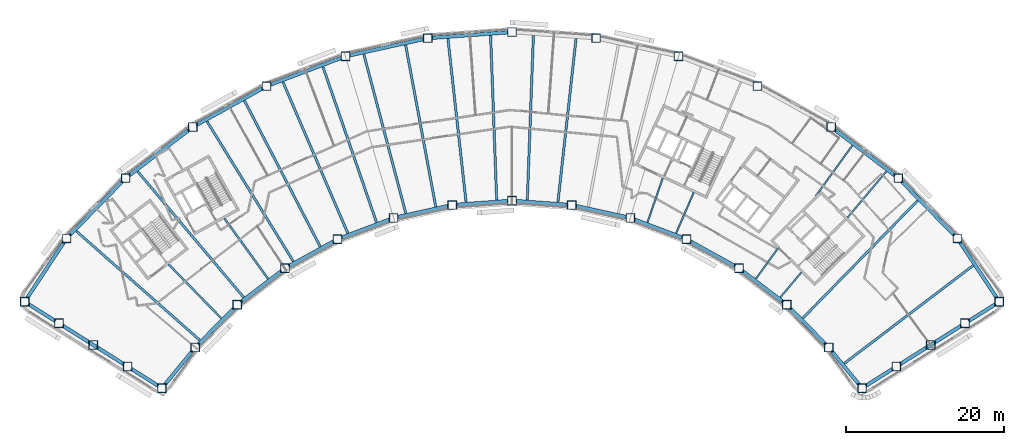
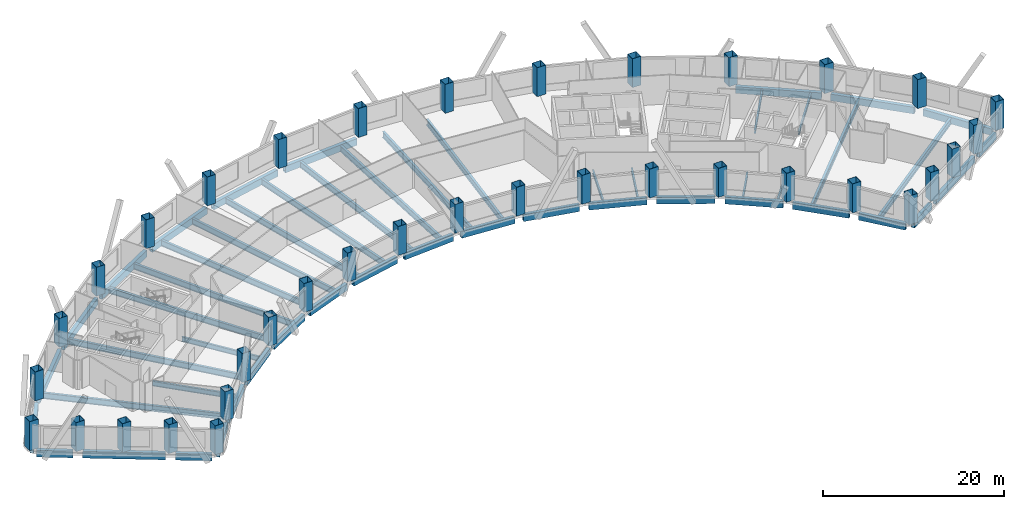
# One storey, part 1 of 11: 52 beams, 36 columns.
"""IFC4 building model written with IfcOpenShell, lengths in metres."""

from ifc_helpers import new_model, si_unit, direction, frame, origin, origin_2d, place, context, subcontext, project, spatial, hollow_rectangle, i_section, extrude, material, material_profile, profile_set, type_object, element, save


model = new_model("IFC4")

# Units and contexts
model_context = context("Model", 3, precision=1e-05, world=origin(), true_north=direction((0.0, 1.0)))
body_context = subcontext(model_context, "Body", "Model", "MODEL_VIEW")
ifc_project = project(units=[si_unit("LENGTHUNIT", "METRE"), si_unit("AREAUNIT", "SQUARE_METRE"), si_unit("VOLUMEUNIT", "CUBIC_METRE"), si_unit("PLANEANGLEUNIT", "RADIAN"), si_unit("MASSUNIT", "GRAM", prefix="KILO")], contexts=[model_context])

# Site, building, storey
site_placement = place(None, origin())
site = spatial("IfcSite", under=ifc_project, at=site_placement, CompositionType="ELEMENT")
building_placement = place(site_placement, origin())
building = spatial("IfcBuilding", under=site, at=building_placement, Name="Tuul Gate Civic Tower", CompositionType="ELEMENT")
storey_placement = place(building_placement, frame((0.0, 0.0, 116.10009765625)))
storey = spatial("IfcBuildingStorey", under=building, at=storey_placement, Name="Level 26", CompositionType="ELEMENT", Elevation=116.10009765625)

# Columns
ifc_material_1 = material(Name="Steel S355", Category="steel")
ifc_material_profile_1 = material_profile(ifc_material_1, hollow_rectangle(XDim=1.10009765625, YDim=1.10009765625, WallThickness=0.035888671875, at=origin_2d()), Name="BOX1100x1100x36")
ifc_profile_set_1 = profile_set([ifc_material_profile_1], Name="Steel S355")
column_type = type_object("IfcColumnType", Name="STR-COLUMN-BOX1100x1100x36", PredefinedType="COLUMN", material=ifc_profile_set_1)
for number, where, z_axis, x_axis, name in (
    (1, (71.5, -20.44189453125, 0.0), (0.0, 0.0, 1.0), (1.0, 0.0, 0.0), "Column"),
    (2, (66.200927734375, -12.428955078125, 0.0), (0.0, 0.0, 1.0), (1.0, 0.0, 0.0), "Column"),
    (3, (58.72607421875, -4.803955078125, 0.0), (0.0, 0.0, 1.0), (1.0, 0.0, 0.0), "Column"),
    (4, (50.23095703125, 1.6640625, 0.0), (0.0, 0.0, 1.0), (1.0, 0.0, 0.0), "Column"),
    (5, (40.89306640625, 6.840087890625, 0.0), (0.0, 0.0, 1.0), (1.0, 0.0, 0.0), "Column"),
    (6, (30.905029296875, 10.616943359375, 0.0), (0.0, 0.0, 1.0), (1.0, 0.0, 0.0), "Column"),
    (7, (20.47802734375, 12.9150390625, 0.0), (0.0, 0.0, 1.0), (1.0, 0.0, 0.0), "Column"),
    (8, (9.8291015625, 13.68603515625, 0.0), (0.0, 0.0, 1.0), (1.0, 0.0, 0.0), "Column"),
    (9, (-0.821044921875, 12.9150390625, 0.0), (0.0, 0.0, 1.0), (1.0, 0.0, 0.0), "Column"),
    (10, (-11.248046875, 10.616943359375, 0.0), (0.0, 0.0, 1.0), (1.0, 0.0, 0.0), "Column"),
    (11, (-21.235107421875, 6.840087890625, 0.0), (0.0, 0.0, 1.0), (1.0, 0.0, 0.0), "Column"),
    (12, (-30.573974609375, 1.6640625, 0.0), (0.0, 0.0, 1.0), (1.0, 0.0, 0.0), "Column"),
    (13, (-39.069091796875, -4.803955078125, 0.0), (0.0, 0.0, 1.0), (1.0, 0.0, 0.0), "Column"),
    (14, (-46.54296875, -12.428955078125, 0.0), (0.0, 0.0, 1.0), (1.0, 0.0, 0.0), "Column"),
    (15, (-51.842041015625, -20.44189453125, 0.0), (0.0, 0.0, 1.0), (1.0, 0.0, 0.0), "Column"),
    (16, (-47.5, -23.176025390625, 0.0), (0.0, 0.0, 1.0), (1.0, 0.0, 0.0), "Column"),
    (17, (-43.156982421875, -25.910888671875, 0.0), (0.0, 0.0, 1.0), (1.0, 0.0, 0.0), "Column"),
    (18, (-38.81494140625, -28.64599609375, 0.0), (0.0, 0.0, 1.0), (1.0, 0.0, 0.0), "Column"),
    (19, (-34.471923828125, -31.3798828125, 0.0), (0.0, 0.0, 1.0), (1.0, 0.0, 0.0), "Column"),
    (20, (-30.251953125, -26.238037109375, 0.0), (0.0, 0.0, 1.0), (1.0, 0.0, 0.0), "Column"),
    (21, (-24.93798828125, -20.81689453125, 0.0), (0.0, 0.0, 1.0), (1.0, 0.0, 0.0), "Column"),
    (22, (-18.89794921875, -16.218017578125, 0.0), (0.0, 0.0, 1.0), (1.0, 0.0, 0.0), "Column"),
    (23, (-12.258056640625, -12.537109375, 0.0), (0.0, 0.0, 1.0), (1.0, 0.0, 0.0), "Column"),
    (24, (-5.156982421875, -9.85205078125, 0.0), (0.0, 0.0, 1.0), (1.0, 0.0, 0.0), "Column"),
    (25, (2.257080078125, -8.218017578125, 0.0), (0.0, 0.0, 1.0), (1.0, 0.0, 0.0), "Column"),
    (26, (9.8291015625, -7.6689453125, 0.0), (0.0, 0.0, 1.0), (1.0, 0.0, 0.0), "Column"),
    (27, (17.40087890625, -8.218017578125, 0.0), (0.0, 0.0, 1.0), (1.0, 0.0, 0.0), "Column"),
    (28, (24.81494140625, -9.85205078125, 0.0), (0.0, 0.0, 1.0), (1.0, 0.0, 0.0), "Column"),
    (29, (31.9150390625, -12.537109375, 0.0), (0.0, 0.0, 1.0), (1.0, 0.0, 0.0), "Column"),
    (30, (38.554931640625, -16.218017578125, 0.0), (0.0, 0.0, 1.0), (1.0, 0.0, 0.0), "Column"),
    (31, (44.595947265625, -20.81689453125, 0.0), (0.0, 0.0, 1.0), (1.0, 0.0, 0.0), "Column"),
    (32, (49.909912109375, -26.238037109375, 0.0), (0.0, 0.0, 1.0), (1.0, 0.0, 0.0), "Column"),
    (33, (54.1298828125, -31.3798828125, 0.0), (0.0, 0.0, 1.0), (1.0, 0.0, 0.0), "Column"),
    (34, (58.471923828125, -28.64599609375, 0.0), (0.0, 0.0, 1.0), (1.0, 0.0, 0.0), "Column"),
    (35, (62.81494140625, -25.910888671875, 0.0), (0.0, 0.0, 1.0), (1.0, 0.0, 0.0), "Column"),
    (36, (67.156982421875, -23.176025390625, 0.0), (0.0, 0.0, 1.0), (1.0, 0.0, 0.0), "Column"),
):
    element("IfcColumn", number, at=place(storey_placement, frame(where, z_axis=z_axis, x_axis=x_axis)), inside=storey, type_object=column_type, Name=name, PredefinedType="COLUMN", context=body_context, shape_type="SweptSolid", body=[
        extrude(hollow_rectangle(XDim=1.10009765625, YDim=1.10009765625, WallThickness=0.035888671875, at=origin_2d()), origin(), (0.0, 0.0, 1.0), 3.89990234375),
    ])

# Beams
ifc_material_2 = material(Name="Steel S355", Category="steel")
ifc_material_profile_2 = material_profile(ifc_material_2, i_section(OverallWidth=0.199951171875, OverallDepth=0.5, WebThickness=0.010009765625, FlangeThickness=0.01611328125, at=origin_2d()), Name="PG500x200x10x16")
ifc_profile_set_2 = profile_set([ifc_material_profile_2], Name="Steel S355")
beam_type_1 = type_object("IfcBeamType", Name="STR-FLOOR BEAM-PG500x200x10x16", PredefinedType="BEAM", material=ifc_profile_set_2)
beam_1_placement = place(storey_placement, frame((43.78662109375, -19.88671875, -0.550048828125), z_axis=(0.644164873832, 0.764886668286, 0.0), x_axis=(-0.764886668286, 0.644164873832, 0.0)))
element("IfcBeam", 37, at=beam_1_placement, inside=storey, type_object=beam_type_1, Name="Floor beam", PredefinedType="BEAM", context=body_context, shape_type="SweptSolid", body=[
    extrude(i_section(OverallWidth=0.199951171875, OverallDepth=0.5, WebThickness=0.010009765625, FlangeThickness=0.01611328125, at=origin_2d()), origin(), (0.0, 0.0, 1.0), 4.129638671875),
])
beam_2_placement = place(storey_placement, frame((52.270263671875, -9.812255859375, -0.550048828125), z_axis=(0.644131817174, 0.764914506402, 0.0), x_axis=(-0.764914506402, 0.644131817174, 0.0)))
element("IfcBeam", 38, at=beam_2_placement, inside=storey, type_object=beam_type_1, Name="Floor beam", PredefinedType="BEAM", context=body_context, shape_type="SweptSolid", body=[
    extrude(i_section(OverallWidth=0.199951171875, OverallDepth=0.5, WebThickness=0.010009765625, FlangeThickness=0.01611328125, at=origin_2d()), origin(), (0.0, 0.0, 1.0), 7.65478515625),
])
beam_3_placement = place(storey_placement, frame((40.6982421875, -17.535400390625, -0.550048828125), z_axis=(0.586092436702, 0.810244195068, 0.0), x_axis=(-0.810244195068, 0.586092436702, 0.0)))
element("IfcBeam", 39, at=beam_3_placement, inside=storey, type_object=beam_type_1, Name="Floor beam", PredefinedType="BEAM", context=body_context, shape_type="SweptSolid", body=[
    extrude(i_section(OverallWidth=0.199951171875, OverallDepth=0.5, WebThickness=0.010009765625, FlangeThickness=0.01611328125, at=origin_2d()), origin(), (0.0, 0.0, 1.0), 4.73779296875),
])
beam_4_placement = place(storey_placement, frame((48.2353515625, -7.11572265625, -0.550048828125), z_axis=(0.586078163081, 0.810254519741, 0.0), x_axis=(-0.810254519741, 0.586078163081, 0.0)))
element("IfcBeam", 40, at=beam_4_placement, inside=storey, type_object=beam_type_1, Name="Floor beam", PredefinedType="BEAM", context=body_context, shape_type="SweptSolid", body=[
    extrude(i_section(OverallWidth=0.199951171875, OverallDepth=0.5, WebThickness=0.010009765625, FlangeThickness=0.01611328125, at=origin_2d()), origin(), (0.0, 0.0, 1.0), 7.94677734375),
])
beam_5_placement = place(storey_placement, frame((30.60546875, -11.7744140625, -0.550048828125), z_axis=(0.394202846621, 0.919023457653, 0.0), x_axis=(-0.919023457653, 0.394202846621, 0.0)))
element("IfcBeam", 41, at=beam_5_placement, inside=storey, type_object=beam_type_1, Name="Floor beam", PredefinedType="BEAM", context=body_context, shape_type="SweptSolid", body=[
    extrude(i_section(OverallWidth=0.199951171875, OverallDepth=0.5, WebThickness=0.010009765625, FlangeThickness=0.01611328125, at=origin_2d()), origin(), (0.0, 0.0, 1.0), 5.611083984375),
])
beam_6_placement = place(storey_placement, frame((26.97509765625, -10.401611328125, -0.550048828125), z_axis=(0.325486996398, 0.945546516664, 0.0), x_axis=(-0.945546516664, 0.325486996398, 0.0)))
element("IfcBeam", 42, at=beam_6_placement, inside=storey, type_object=beam_type_1, Name="Floor beam", PredefinedType="BEAM", context=body_context, shape_type="SweptSolid", body=[
    extrude(i_section(OverallWidth=0.199951171875, OverallDepth=0.5, WebThickness=0.010009765625, FlangeThickness=0.01611328125, at=origin_2d()), origin(), (0.0, 0.0, 1.0), 5.930908203125),
])
ifc_material_3 = material(Name="Steel S355", Category="steel")
ifc_material_profile_3 = material_profile(ifc_material_3, i_section(OverallWidth=0.25, OverallDepth=0.64990234375, WebThickness=0.011962890625, FlangeThickness=0.02001953125, at=origin_2d()), Name="PG650x250x12x20")
ifc_profile_set_3 = profile_set([ifc_material_profile_3], Name="Steel S355")
beam_type_2 = type_object("IfcBeamType", Name="STR-FLOOR BEAM-PG650x250x12x20", PredefinedType="BEAM", material=ifc_profile_set_3)
beam_7_placement = place(storey_placement, frame((-21.040771484375, -17.53515625, -0.625), z_axis=(-0.586071957424, 0.810259008417, 0.0), x_axis=(-0.810259008417, -0.586071957424, 0.0)))
element("IfcBeam", 43, at=beam_7_placement, inside=storey, type_object=beam_type_2, Name="Floor beam", PredefinedType="BEAM", context=body_context, shape_type="SweptSolid", body=[
    extrude(i_section(OverallWidth=0.25, OverallDepth=0.64990234375, WebThickness=0.011962890625, FlangeThickness=0.02001953125, at=origin_2d()), origin(), (0.0, 0.0, 1.0), 9.4111328125),
])
beam_8_placement = place(storey_placement, frame((-26.96923828125, -22.531982421875, -0.625), z_axis=(-0.698693179665, 0.715421442711, 0.0), x_axis=(-0.715421442711, -0.698693179665, 0.0)))
element("IfcBeam", 44, at=beam_8_placement, inside=storey, type_object=beam_type_2, Name="Floor beam", PredefinedType="BEAM", context=body_context, shape_type="SweptSolid", body=[
    extrude(i_section(OverallWidth=0.25, OverallDepth=0.64990234375, WebThickness=0.011962890625, FlangeThickness=0.02001953125, at=origin_2d()), origin(), (0.0, 0.0, 1.0), 9.5302734375),
])
ifc_material_4 = material(Name="Steel S355", Category="steel")
ifc_material_profile_4 = material_profile(ifc_material_4, i_section(OverallWidth=0.300048828125, OverallDepth=0.800048828125, WebThickness=0.013916015625, FlangeThickness=0.02490234375, at=origin_2d()), Name="PG800x300x14x25")
ifc_profile_set_4 = profile_set([ifc_material_profile_4], Name="Steel S355")
beam_type_3 = type_object("IfcBeamType", Name="STR-FLOOR BEAM-PG800x300x14x25", PredefinedType="BEAM", material=ifc_profile_set_4)
beam_9_placement = place(storey_placement, frame((51.8837890625, -28.2490234375, -0.7001953125), z_axis=(0.796146559843, 0.605103838403, 0.0), x_axis=(-0.605103838403, 0.796146559843, 0.0)))
element("IfcBeam", 45, at=beam_9_placement, inside=storey, type_object=beam_type_3, Name="Floor beam", PredefinedType="BEAM", context=body_context, shape_type="SweptSolid", body=[
    extrude(i_section(OverallWidth=0.300048828125, OverallDepth=0.800048828125, WebThickness=0.013916015625, FlangeThickness=0.02490234375, at=origin_2d()), origin(), (0.0, 0.0, 1.0), 20.46240234375),
])
beam_10_placement = place(storey_placement, frame((46.627197265625, -22.531982421875, -0.7001953125), z_axis=(0.698684495675, 0.715429923544, 0.0), x_axis=(-0.715429923544, 0.698684495675, 0.0)))
element("IfcBeam", 46, at=beam_10_placement, inside=storey, type_object=beam_type_3, Name="Floor beam", PredefinedType="BEAM", context=body_context, shape_type="SweptSolid", body=[
    extrude(i_section(OverallWidth=0.300048828125, OverallDepth=0.800048828125, WebThickness=0.013916015625, FlangeThickness=0.02490234375, at=origin_2d()), origin(), (0.0, 0.0, 1.0), 20.804931640625),
])
beam_11_placement = place(storey_placement, frame((15.64013671875, -7.839599609375, -0.7001953125), z_axis=(0.110288630292, 0.993899601584, 0.0), x_axis=(-0.993899601584, 0.110288630292, 0.0)))
element("IfcBeam", 47, at=beam_11_placement, inside=storey, type_object=beam_type_3, Name="Floor beam", PredefinedType="BEAM", context=body_context, shape_type="SweptSolid", body=[
    extrude(i_section(OverallWidth=0.300048828125, OverallDepth=0.800048828125, WebThickness=0.013916015625, FlangeThickness=0.02490234375, at=origin_2d()), origin(), (0.0, 0.0, 1.0), 20.81494140625),
])
for number, where, z_axis, x_axis, name in (
    (48, (11.769287109375, -7.55908203125, -0.7001953125), (0.036833774102, 0.999321406298, 0.0), (-0.999321406298, 0.036833774102, 0.0), "Floor beam"),
    (49, (7.888427734375, -7.55908203125, -0.7001953125), (-0.036822059508, 0.999321838015, 0.0), (-0.999321838015, -0.036822059508, 0.0), "Floor beam"),
):
    element("IfcBeam", number, at=place(storey_placement, frame(where, z_axis=z_axis, x_axis=x_axis)), inside=storey, type_object=beam_type_3, Name=name, PredefinedType="BEAM", context=body_context, shape_type="SweptSolid", body=[
        extrude(i_section(OverallWidth=0.300048828125, OverallDepth=0.800048828125, WebThickness=0.013916015625, FlangeThickness=0.02490234375, at=origin_2d()), origin(), (0.0, 0.0, 1.0), 20.8125),
    ])
beam_12_placement = place(storey_placement, frame((4.017578125, -7.839599609375, -0.7001953125), z_axis=(-0.110277043848, 0.993900887212, 0.0), x_axis=(-0.993900887212, -0.110277043848, 0.0)))
element("IfcBeam", 50, at=beam_12_placement, inside=storey, type_object=beam_type_3, Name="Floor beam", PredefinedType="BEAM", context=body_context, shape_type="SweptSolid", body=[
    extrude(i_section(OverallWidth=0.300048828125, OverallDepth=0.800048828125, WebThickness=0.013916015625, FlangeThickness=0.02490234375, at=origin_2d()), origin(), (0.0, 0.0, 1.0), 20.81494140625),
])
beam_13_placement = place(storey_placement, frame((0.180419921875, -8.419677734375, -0.7001953125), z_axis=(-0.183145230157, 0.983085868412, 0.0), x_axis=(-0.983085868412, -0.183145230157, 0.0)))
element("IfcBeam", 51, at=beam_13_placement, inside=storey, type_object=beam_type_3, Name="Floor beam", PredefinedType="BEAM", context=body_context, shape_type="SweptSolid", body=[
    extrude(i_section(OverallWidth=0.300048828125, OverallDepth=0.800048828125, WebThickness=0.013916015625, FlangeThickness=0.02490234375, at=origin_2d()), origin(), (0.0, 0.0, 1.0), 20.8115234375),
])
beam_14_placement = place(storey_placement, frame((-3.609619140625, -9.2548828125, -0.7001953125), z_axis=(-0.255004720301, 0.96693980817, 0.0), x_axis=(-0.96693980817, -0.255004720301, 0.0)))
element("IfcBeam", 52, at=beam_14_placement, inside=storey, type_object=beam_type_3, Name="Floor beam", PredefinedType="BEAM", context=body_context, shape_type="SweptSolid", body=[
    extrude(i_section(OverallWidth=0.300048828125, OverallDepth=0.800048828125, WebThickness=0.013916015625, FlangeThickness=0.02490234375, at=origin_2d()), origin(), (0.0, 0.0, 1.0), 20.817626953125),
])
beam_15_placement = place(storey_placement, frame((-7.3173828125, -10.401611328125, -0.7001953125), z_axis=(-0.325486974479, 0.945546524209, 0.0), x_axis=(-0.945546524209, -0.325486974479, 0.0)))
element("IfcBeam", 53, at=beam_15_placement, inside=storey, type_object=beam_type_3, Name="Floor beam", PredefinedType="BEAM", context=body_context, shape_type="SweptSolid", body=[
    extrude(i_section(OverallWidth=0.300048828125, OverallDepth=0.800048828125, WebThickness=0.013916015625, FlangeThickness=0.02490234375, at=origin_2d()), origin(), (0.0, 0.0, 1.0), 20.809326171875),
])
beam_16_placement = place(storey_placement, frame((-10.94775390625, -11.774169921875, -0.7001953125), z_axis=(-0.394200920337, 0.919024283904, 0.0), x_axis=(-0.919024283904, -0.394200920337, 0.0)))
element("IfcBeam", 54, at=beam_16_placement, inside=storey, type_object=beam_type_3, Name="Floor beam", PredefinedType="BEAM", context=body_context, shape_type="SweptSolid", body=[
    extrude(i_section(OverallWidth=0.300048828125, OverallDepth=0.800048828125, WebThickness=0.013916015625, FlangeThickness=0.02490234375, at=origin_2d()), origin(), (0.0, 0.0, 1.0), 20.8193359375),
])
beam_17_placement = place(storey_placement, frame((-14.442626953125, -13.462158203125, -0.7001953125), z_axis=(-0.460777059353, 0.887515916237, 0.0), x_axis=(-0.887515916237, -0.460777059353, 0.0)))
element("IfcBeam", 55, at=beam_17_placement, inside=storey, type_object=beam_type_3, Name="Floor beam", PredefinedType="BEAM", context=body_context, shape_type="SweptSolid", body=[
    extrude(i_section(OverallWidth=0.300048828125, OverallDepth=0.800048828125, WebThickness=0.013916015625, FlangeThickness=0.02490234375, at=origin_2d()), origin(), (0.0, 0.0, 1.0), 20.8076171875),
])
beam_18_placement = place(storey_placement, frame((-17.837158203125, -15.343994140625, -0.7001953125), z_axis=(-0.524856706834, 0.851190599861, 0.0), x_axis=(-0.851190599861, -0.524856706834, 0.0)))
element("IfcBeam", 56, at=beam_18_placement, inside=storey, type_object=beam_type_3, Name="Floor beam", PredefinedType="BEAM", context=body_context, shape_type="SweptSolid", body=[
    extrude(i_section(OverallWidth=0.300048828125, OverallDepth=0.800048828125, WebThickness=0.013916015625, FlangeThickness=0.02490234375, at=origin_2d()), origin(), (0.0, 0.0, 1.0), 20.82275390625),
])
beam_19_placement = place(storey_placement, frame((-24.12890625, -19.88671875, -0.7001953125), z_axis=(-0.644132135775, 0.764914238109, 0.0), x_axis=(-0.764914238109, -0.644132135775, 0.0)))
element("IfcBeam", 57, at=beam_19_placement, inside=storey, type_object=beam_type_3, Name="Floor beam", PredefinedType="BEAM", context=body_context, shape_type="SweptSolid", body=[
    extrude(i_section(OverallWidth=0.300048828125, OverallDepth=0.800048828125, WebThickness=0.013916015625, FlangeThickness=0.02490234375, at=origin_2d()), origin(), (0.0, 0.0, 1.0), 20.82568359375),
])
beam_20_placement = place(storey_placement, frame((-29.686767578125, -25.30419921875, -0.7001953125), z_axis=(-0.749447427269, 0.662063859277, 0.0), x_axis=(-0.662063859277, -0.749447427269, 0.0)))
element("IfcBeam", 58, at=beam_20_placement, inside=storey, type_object=beam_type_3, Name="Floor beam", PredefinedType="BEAM", context=body_context, shape_type="SweptSolid", body=[
    extrude(i_section(OverallWidth=0.300048828125, OverallDepth=0.800048828125, WebThickness=0.013916015625, FlangeThickness=0.02490234375, at=origin_2d()), origin(), (0.0, 0.0, 1.0), 20.82861328125),
])
ifc_material_5 = material(Name="Steel S355", Category="steel")
ifc_material_profile_5 = material_profile(ifc_material_5, hollow_rectangle(XDim=0.449951171875, YDim=0.89990234375, WallThickness=0.02490234375, at=origin_2d()), Name="BOX900x450x25")
ifc_profile_set_5 = profile_set([ifc_material_profile_5], Name="Steel S355")
beam_type_4 = type_object("IfcBeamType", Name="STR-SPANDREL BEAM-BOX900x450x25", PredefinedType="BEAM", material=ifc_profile_set_5)
beam_21_placement = place(storey_placement, frame((71.196533203125, -19.983154296875, -0.75), z_axis=(-0.551590080745, 0.83411532945, 0.0), x_axis=(-0.83411532945, -0.551590080745, 0.0)))
element("IfcBeam", 59, at=beam_21_placement, inside=storey, type_object=beam_type_4, Name="Spandrel beam", PredefinedType="BEAM", context=body_context, shape_type="SweptSolid", body=[
    extrude(hollow_rectangle(XDim=0.449951171875, YDim=0.89990234375, WallThickness=0.02490234375, at=origin_2d()), origin(), (0.0, 0.0, 1.0), 8.506591796875),
])
beam_22_placement = place(storey_placement, frame((65.81591796875, -12.0361328125, -0.75), z_axis=(-0.700049238086, 0.714094576548, 0.0), x_axis=(-0.714094576548, -0.700049238086, 0.0)))
element("IfcBeam", 60, at=beam_22_placement, inside=storey, type_object=beam_type_4, Name="Spandrel beam", PredefinedType="BEAM", context=body_context, shape_type="SweptSolid", body=[
    extrude(hollow_rectangle(XDim=0.449951171875, YDim=0.89990234375, WallThickness=0.02490234375, at=origin_2d()), origin(), (0.0, 0.0, 1.0), 9.57763671875),
])
beam_23_placement = place(storey_placement, frame((58.288330078125, -4.470703125, -0.75), z_axis=(-0.795628890165, 0.605784342101, 0.0), x_axis=(-0.605784342101, -0.795628890165, 0.0)))
element("IfcBeam", 61, at=beam_23_placement, inside=storey, type_object=beam_type_4, Name="Spandrel beam", PredefinedType="BEAM", context=body_context, shape_type="SweptSolid", body=[
    extrude(hollow_rectangle(XDim=0.449951171875, YDim=0.89990234375, WallThickness=0.02490234375, at=origin_2d()), origin(), (0.0, 0.0, 1.0), 9.576904296875),
])
beam_24_placement = place(storey_placement, frame((9.280517578125, 13.646240234375, -0.75), z_axis=(-0.997391103387, -0.072187165652, 0.0), x_axis=(0.072187165652, -0.997391103387, 0.0)))
element("IfcBeam", 62, at=beam_24_placement, inside=storey, type_object=beam_type_4, Name="Spandrel beam", PredefinedType="BEAM", context=body_context, shape_type="SweptSolid", body=[
    extrude(hollow_rectangle(XDim=0.449951171875, YDim=0.89990234375, WallThickness=0.02490234375, at=origin_2d()), origin(), (0.0, 0.0, 1.0), 9.577880859375),
])
for number, where, z_axis, x_axis, name in (
    (63, (-1.358154296875, 12.796630859375, -0.75), (-0.976564052188, -0.215226977802, 0.0), (0.215226977802, -0.976564052188, 0.0), "Spandrel beam"),
    (64, (-11.762451171875, 10.42236328125, -0.75), (-0.935349182436, -0.353725750994, 0.0), (0.353725750994, -0.935349182436, 0.0), "Spandrel beam"),
):
    element("IfcBeam", number, at=place(storey_placement, frame(where, z_axis=z_axis, x_axis=x_axis)), inside=storey, type_object=beam_type_4, Name=name, PredefinedType="BEAM", context=body_context, shape_type="SweptSolid", body=[
        extrude(hollow_rectangle(XDim=0.449951171875, YDim=0.89990234375, WallThickness=0.02490234375, at=origin_2d()), origin(), (0.0, 0.0, 1.0), 9.5771484375),
    ])
beam_25_placement = place(storey_placement, frame((-21.716064453125, 6.573486328125, -0.75), z_axis=(-0.874646210848, -0.484761803208, 0.0), x_axis=(0.484761803208, -0.874646210848, 0.0)))
element("IfcBeam", 65, at=beam_25_placement, inside=storey, type_object=beam_type_4, Name="Spandrel beam", PredefinedType="BEAM", context=body_context, shape_type="SweptSolid", body=[
    extrude(hollow_rectangle(XDim=0.449951171875, YDim=0.89990234375, WallThickness=0.02490234375, at=origin_2d()), origin(), (0.0, 0.0, 1.0), 9.57763671875),
])
beam_26_placement = place(storey_placement, frame((-31.011474609375, 1.330810546875, -0.75), z_axis=(-0.795638245076, -0.605772055292, 0.0), x_axis=(0.605772055292, -0.795638245076, 0.0)))
element("IfcBeam", 66, at=beam_26_placement, inside=storey, type_object=beam_type_4, Name="Spandrel beam", PredefinedType="BEAM", context=body_context, shape_type="SweptSolid", body=[
    extrude(hollow_rectangle(XDim=0.449951171875, YDim=0.89990234375, WallThickness=0.02490234375, at=origin_2d()), origin(), (0.0, 0.0, 1.0), 9.5771484375),
])
beam_27_placement = place(storey_placement, frame((-39.4541015625, -5.19677734375, -0.75), z_axis=(-0.699997238657, -0.714145549501, 0.0), x_axis=(0.714145549501, -0.699997238657, 0.0)))
element("IfcBeam", 67, at=beam_27_placement, inside=storey, type_object=beam_type_4, Name="Spandrel beam", PredefinedType="BEAM", context=body_context, shape_type="SweptSolid", body=[
    extrude(hollow_rectangle(XDim=0.449951171875, YDim=0.89990234375, WallThickness=0.02490234375, at=origin_2d()), origin(), (0.0, 0.0, 1.0), 9.576904296875),
])
beam_28_placement = place(storey_placement, frame((-46.846435546875, -12.8876953125, -0.75), z_axis=(-0.551590080745, -0.83411532945, 0.0), x_axis=(0.83411532945, -0.551590080745, 0.0)))
element("IfcBeam", 68, at=beam_28_placement, inside=storey, type_object=beam_type_4, Name="Spandrel beam", PredefinedType="BEAM", context=body_context, shape_type="SweptSolid", body=[
    extrude(hollow_rectangle(XDim=0.449951171875, YDim=0.89990234375, WallThickness=0.02490234375, at=origin_2d()), origin(), (0.0, 0.0, 1.0), 8.506591796875),
])
beam_29_placement = place(storey_placement, frame((-51.37646484375, -20.735107421875, -0.75), z_axis=(0.846210588651, -0.532848608571, 0.0), x_axis=(0.532848608571, 0.846210588651, 0.0)))
element("IfcBeam", 69, at=beam_29_placement, inside=storey, type_object=beam_type_4, Name="Spandrel beam", PredefinedType="BEAM", context=body_context, shape_type="SweptSolid", body=[
    extrude(hollow_rectangle(XDim=0.449951171875, YDim=0.89990234375, WallThickness=0.02490234375, at=origin_2d()), origin(), (0.0, 0.0, 1.0), 4.031005859375),
])
beam_30_placement = place(storey_placement, frame((-47.03466796875, -23.468994140625, -0.75), z_axis=(0.846164320765, -0.53292207898, 0.0), x_axis=(0.53292207898, 0.846164320765, 0.0)))
element("IfcBeam", 70, at=beam_30_placement, inside=storey, type_object=beam_type_4, Name="Spandrel beam", PredefinedType="BEAM", context=body_context, shape_type="SweptSolid", body=[
    extrude(hollow_rectangle(XDim=0.449951171875, YDim=0.89990234375, WallThickness=0.02490234375, at=origin_2d()), origin(), (0.0, 0.0, 1.0), 9.1640625),
])
beam_31_placement = place(storey_placement, frame((-38.349609375, -28.93896484375, -0.75), z_axis=(0.846279351523, -0.532739391435, 0.0), x_axis=(0.532739391435, 0.846279351523, 0.0)))
element("IfcBeam", 71, at=beam_31_placement, inside=storey, type_object=beam_type_4, Name="Spandrel beam", PredefinedType="BEAM", context=body_context, shape_type="SweptSolid", body=[
    extrude(hollow_rectangle(XDim=0.449951171875, YDim=0.89990234375, WallThickness=0.02490234375, at=origin_2d()), origin(), (0.0, 0.0, 1.0), 4.031982421875),
])
beam_32_placement = place(storey_placement, frame((-34.123046875, -30.954833984375, -0.75), z_axis=(0.634400839416, 0.773004252866, 0.0), x_axis=(-0.773004252866, 0.634400839416, 0.0)))
element("IfcBeam", 72, at=beam_32_placement, inside=storey, type_object=beam_type_4, Name="Spandrel beam", PredefinedType="BEAM", context=body_context, shape_type="SweptSolid", body=[
    extrude(hollow_rectangle(XDim=0.449951171875, YDim=0.89990234375, WallThickness=0.02490234375, at=origin_2d()), origin(), (0.0, 0.0, 1.0), 5.552001953125),
])
beam_33_placement = place(storey_placement, frame((-29.866943359375, -25.84521484375, -0.75), z_axis=(0.700019515807, 0.714123713014, 0.0), x_axis=(-0.714123713014, 0.700019515807, 0.0)))
element("IfcBeam", 73, at=beam_33_placement, inside=storey, type_object=beam_type_4, Name="Spandrel beam", PredefinedType="BEAM", context=body_context, shape_type="SweptSolid", body=[
    extrude(hollow_rectangle(XDim=0.449951171875, YDim=0.89990234375, WallThickness=0.02490234375, at=origin_2d()), origin(), (0.0, 0.0, 1.0), 6.4912109375),
])
beam_34_placement = place(storey_placement, frame((-24.50048828125, -20.48388671875, -0.75), z_axis=(0.795614709781, 0.605802965972, 0.0), x_axis=(-0.605802965972, 0.795614709781, 0.0)))
element("IfcBeam", 74, at=beam_34_placement, inside=storey, type_object=beam_type_4, Name="Spandrel beam", PredefinedType="BEAM", context=body_context, shape_type="SweptSolid", body=[
    extrude(hollow_rectangle(XDim=0.449951171875, YDim=0.89990234375, WallThickness=0.02490234375, at=origin_2d()), origin(), (0.0, 0.0, 1.0), 6.49169921875),
])
beam_35_placement = place(storey_placement, frame((-18.4169921875, -15.951416015625, -0.75), z_axis=(0.874596833749, 0.484850882639, 0.0), x_axis=(-0.484850882639, 0.874596833749, 0.0)))
element("IfcBeam", 75, at=beam_35_placement, inside=storey, type_object=beam_type_4, Name="Spandrel beam", PredefinedType="BEAM", context=body_context, shape_type="SweptSolid", body=[
    extrude(hollow_rectangle(XDim=0.449951171875, YDim=0.89990234375, WallThickness=0.02490234375, at=origin_2d()), origin(), (0.0, 0.0, 1.0), 6.4921875),
])
beam_36_placement = place(storey_placement, frame((-11.74365234375, -12.342529296875, -0.75), z_axis=(0.935373699363, 0.353660914635, 0.0), x_axis=(-0.353660914635, 0.935373699363, 0.0)))
element("IfcBeam", 76, at=beam_36_placement, inside=storey, type_object=beam_type_4, Name="Spandrel beam", PredefinedType="BEAM", context=body_context, shape_type="SweptSolid", body=[
    extrude(hollow_rectangle(XDim=0.449951171875, YDim=0.89990234375, WallThickness=0.02490234375, at=origin_2d()), origin(), (0.0, 0.0, 1.0), 6.49169921875),
])
for number, where, z_axis, x_axis, name in (
    (77, (-4.619873046875, -9.733642578125, -0.75), (0.976565169857, 0.215221906465, 0.0), (-0.215221906465, 0.976565169857, 0.0), "Spandrel beam"),
    (78, (2.8056640625, -8.17822265625, -0.75), (0.99738157331, 0.072318719712, 0.0), (-0.072318719712, 0.99738157331, 0.0), "Spandrel beam"),
):
    element("IfcBeam", number, at=place(storey_placement, frame(where, z_axis=z_axis, x_axis=x_axis)), inside=storey, type_object=beam_type_4, Name=name, PredefinedType="BEAM", context=body_context, shape_type="SweptSolid", body=[
        extrude(hollow_rectangle(XDim=0.449951171875, YDim=0.89990234375, WallThickness=0.02490234375, at=origin_2d()), origin(), (0.0, 0.0, 1.0), 6.491943359375),
    ])
beam_37_placement = place(storey_placement, frame((10.37744140625, -7.708740234375, -0.75), z_axis=(0.997381769985, -0.072316007227, 0.0), x_axis=(0.072316007227, 0.997381769985, 0.0)))
element("IfcBeam", 79, at=beam_37_placement, inside=storey, type_object=beam_type_4, Name="Spandrel beam", PredefinedType="BEAM", context=body_context, shape_type="SweptSolid", body=[
    extrude(hollow_rectangle(XDim=0.449951171875, YDim=0.89990234375, WallThickness=0.02490234375, at=origin_2d()), origin(), (0.0, 0.0, 1.0), 6.4921875),
])
beam_38_placement = place(storey_placement, frame((17.93798828125, -8.33642578125, -0.75), z_axis=(0.976565169857, -0.215221906465, 0.0), x_axis=(0.215221906465, 0.976565169857, 0.0)))
element("IfcBeam", 80, at=beam_38_placement, inside=storey, type_object=beam_type_4, Name="Spandrel beam", PredefinedType="BEAM", context=body_context, shape_type="SweptSolid", body=[
    extrude(hollow_rectangle(XDim=0.449951171875, YDim=0.89990234375, WallThickness=0.02490234375, at=origin_2d()), origin(), (0.0, 0.0, 1.0), 6.491943359375),
])
beam_39_placement = place(storey_placement, frame((25.329345703125, -10.046630859375, -0.75), z_axis=(0.935354880203, -0.353710684149, 0.0), x_axis=(0.353710684149, 0.935354880203, 0.0)))
element("IfcBeam", 81, at=beam_39_placement, inside=storey, type_object=beam_type_4, Name="Spandrel beam", PredefinedType="BEAM", context=body_context, shape_type="SweptSolid", body=[
    extrude(hollow_rectangle(XDim=0.449951171875, YDim=0.89990234375, WallThickness=0.02490234375, at=origin_2d()), origin(), (0.0, 0.0, 1.0), 6.490966796875),
])
beam_40_placement = place(storey_placement, frame((32.39599609375, -12.8037109375, -0.75), z_axis=(0.874596833749, -0.484850882639, 0.0), x_axis=(0.484850882639, 0.874596833749, 0.0)))
element("IfcBeam", 82, at=beam_40_placement, inside=storey, type_object=beam_type_4, Name="Spandrel beam", PredefinedType="BEAM", context=body_context, shape_type="SweptSolid", body=[
    extrude(hollow_rectangle(XDim=0.449951171875, YDim=0.89990234375, WallThickness=0.02490234375, at=origin_2d()), origin(), (0.0, 0.0, 1.0), 6.4921875),
])
beam_41_placement = place(storey_placement, frame((38.99267578125, -16.55126953125, -0.75), z_axis=(0.79566990921, -0.605730464462, 0.0), x_axis=(0.605730464462, 0.79566990921, 0.0)))
element("IfcBeam", 83, at=beam_41_placement, inside=storey, type_object=beam_type_4, Name="Spandrel beam", PredefinedType="BEAM", context=body_context, shape_type="SweptSolid", body=[
    extrude(hollow_rectangle(XDim=0.449951171875, YDim=0.89990234375, WallThickness=0.02490234375, at=origin_2d()), origin(), (0.0, 0.0, 1.0), 6.492431640625),
])
beam_42_placement = place(storey_placement, frame((44.98095703125, -21.209716796875, -0.75), z_axis=(0.700019515807, -0.714123713014, 0.0), x_axis=(0.714123713014, 0.700019515807, 0.0)))
element("IfcBeam", 84, at=beam_42_placement, inside=storey, type_object=beam_type_4, Name="Spandrel beam", PredefinedType="BEAM", context=body_context, shape_type="SweptSolid", body=[
    extrude(hollow_rectangle(XDim=0.449951171875, YDim=0.89990234375, WallThickness=0.02490234375, at=origin_2d()), origin(), (0.0, 0.0, 1.0), 6.4912109375),
])
beam_43_placement = place(storey_placement, frame((50.259033203125, -26.6630859375, -0.75), z_axis=(0.634374562786, -0.773025817221, 0.0), x_axis=(0.773025817221, 0.634374562786, 0.0)))
element("IfcBeam", 85, at=beam_43_placement, inside=storey, type_object=beam_type_4, Name="Spandrel beam", PredefinedType="BEAM", context=body_context, shape_type="SweptSolid", body=[
    extrude(hollow_rectangle(XDim=0.449951171875, YDim=0.89990234375, WallThickness=0.02490234375, at=origin_2d()), origin(), (0.0, 0.0, 1.0), 5.552001953125),
])
beam_44_placement = place(storey_placement, frame((54.595458984375, -31.0869140625, -0.75), z_axis=(0.846210588651, 0.532848608571, 0.0), x_axis=(-0.532848608571, 0.846210588651, 0.0)))
element("IfcBeam", 86, at=beam_44_placement, inside=storey, type_object=beam_type_4, Name="Spandrel beam", PredefinedType="BEAM", context=body_context, shape_type="SweptSolid", body=[
    extrude(hollow_rectangle(XDim=0.449951171875, YDim=0.89990234375, WallThickness=0.02490234375, at=origin_2d()), origin(), (0.0, 0.0, 1.0), 4.031005859375),
])
beam_45_placement = place(storey_placement, frame((58.9375, -28.352783203125, -0.75), z_axis=(0.84615675437, 0.53293409258, 0.0), x_axis=(-0.53293409258, 0.84615675437, 0.0)))
element("IfcBeam", 87, at=beam_45_placement, inside=storey, type_object=beam_type_4, Name="Spandrel beam", PredefinedType="BEAM", context=body_context, shape_type="SweptSolid", body=[
    extrude(hollow_rectangle(XDim=0.449951171875, YDim=0.89990234375, WallThickness=0.02490234375, at=origin_2d()), origin(), (0.0, 0.0, 1.0), 9.1640625),
])
beam_46_placement = place(storey_placement, frame((67.62255859375, -22.883056640625, -0.75), z_axis=(0.846279351523, 0.532739391435, 0.0), x_axis=(-0.532739391435, 0.846279351523, 0.0)))
element("IfcBeam", 88, at=beam_46_placement, inside=storey, type_object=beam_type_4, Name="Spandrel beam", PredefinedType="BEAM", context=body_context, shape_type="SweptSolid", body=[
    extrude(hollow_rectangle(XDim=0.449951171875, YDim=0.89990234375, WallThickness=0.02490234375, at=origin_2d()), origin(), (0.0, 0.0, 1.0), 4.031982421875),
])

save(model, "model.ifc")
